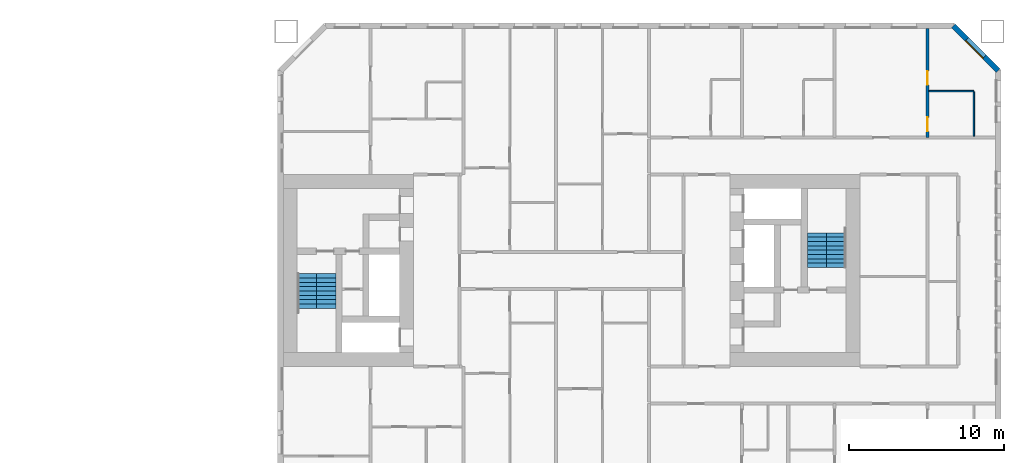
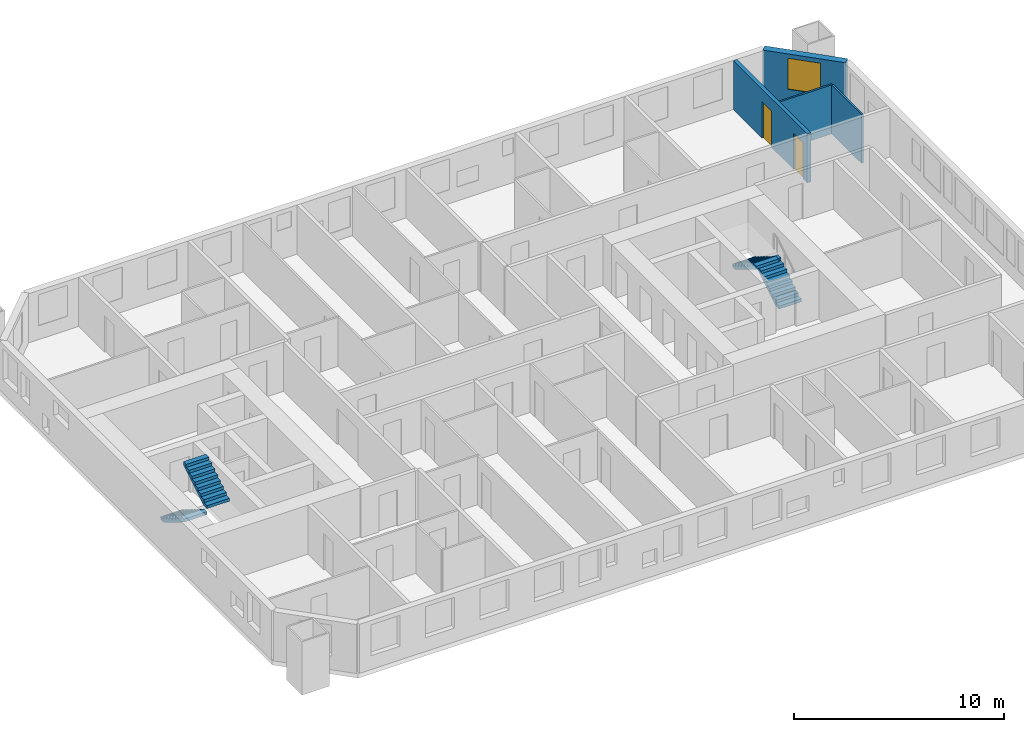
# One storey, part 16 of 18: 4 stair flights, 4 walls, 2 doors, 1 window, 3 openings, 2 elements without a shape of their own.
"""IFC4 building model written with IfcOpenShell, lengths in metres."""

from ifc_helpers import new_model, si_unit, direction, frame, frame_2d, origin, place, context, subcontext, project, spatial, polyline, rectangle, outline, extrude, material, layer, layer_set, type_object, element, fill, aggregate, save


model = new_model("IFC4")

# Units and contexts
model_context = context("Model", 3, precision=1e-05, world=origin(), true_north=direction((0.0, 1.0)))
body_context = subcontext(model_context, "Body", "Model", "MODEL_VIEW")
ifc_project = project(units=[si_unit("LENGTHUNIT", "METRE"), si_unit("AREAUNIT", "SQUARE_METRE"), si_unit("VOLUMEUNIT", "CUBIC_METRE"), si_unit("PLANEANGLEUNIT", "RADIAN"), si_unit("MASSUNIT", "GRAM", prefix="KILO")], contexts=[model_context])

# Site, building, storey
site_placement = place(None, origin())
site = spatial("IfcSite", under=ifc_project, at=site_placement, CompositionType="ELEMENT")
building_placement = place(site_placement, origin())
building = spatial("IfcBuilding", under=site, at=building_placement, Name="Tuart Gate Housing", CompositionType="ELEMENT")
storey_placement = place(building_placement, frame((0.0, 0.0, 31.89990234375)))
storey = spatial("IfcBuildingStorey", under=building, at=storey_placement, Name="L08", CompositionType="ELEMENT", Elevation=31.89990234375)

# Wall, opening, window
ifc_material_1 = material(Name="Brick", Category="masonry")
ifc_layer_1 = layer(ifc_material_1, 0.360107421875)
ifc_layer_set_1 = layer_set([ifc_layer_1], Name="Brick pier and spandrel wall 360")
wall_type_1 = type_object("IfcWallType", Name="Brick pier and spandrel wall 360", PredefinedType="STANDARD", material=ifc_layer_set_1)
wall_1_placement = place(storey_placement, frame((177.570068359375, 82.92529296875, 0.0), z_axis=(0.0, 0.0, 1.0), x_axis=(-0.707106781187, 0.707106781187, 0.0)))
wall_1 = element("IfcWall", 1, at=wall_1_placement, inside=storey, type_object=wall_type_1, Name="External wall B-NE L08", PredefinedType="STANDARD", context=body_context, shape_type="SweptSolid", body=[
    extrude(rectangle(XDim=4.09375, YDim=0.360107421875, at=frame_2d((2.046875, 0.0))), origin(), (0.0, 0.0, 1.0), 2.85009765625),
])
opening_1_placement = place(wall_1_placement, frame((1.2470703125, 0.0, 0.800048828125)))
opening_1 = element("IfcOpeningElement", 2, at=opening_1_placement, cuts=wall_1, Name="Opening W1", PredefinedType="OPENING", context=body_context, shape_type="SweptSolid", body=[
    extrude(rectangle(XDim=1.60009765625, YDim=1.800048828125, at=frame_2d((0.800048828125, 0.89990234375))), frame((0.0, 0.18994140625, 0.0), z_axis=(0.0, -1.0, 0.0), x_axis=(1.0, 0.0, 0.0)), (0.0, 0.0, 1.0), 0.380126953125),
])
ifc_material_2 = material(Name="Aluminium frame with clear glass", Category="aluminium")
window_type = type_object("IfcWindowType", Name="Punched window 1600 x 1800", PartitioningType="SINGLE_PANEL", PredefinedType="WINDOW", material=ifc_material_2)
window_placement = place(opening_1_placement, origin())
window = element("IfcWindow", 3, at=window_placement, inside=storey, type_object=window_type, Name="Window W1", OverallHeight=1.800048828125, OverallWidth=1.60009765625, PartitioningType="SINGLE_PANEL", PredefinedType="WINDOW", context=body_context, shape_type="SweptSolid", body=[
    extrude(rectangle(XDim=1.60009765625, YDim=1.800048828125, at=frame_2d((0.800048828125, 0.89990234375))), frame((0.0, 0.150146484375, 0.0), z_axis=(0.0, -1.0, 0.0), x_axis=(1.0, 0.0, 0.0)), (0.0, 0.0, 1.0), 0.06005859375),
])
fill(opening_1, window)

# Walls
ifc_material_3 = material(Name="Gypsum board on steel studs", Category="steel")
ifc_layer_2 = layer(ifc_material_3, 0.10009765625)
ifc_layer_set_2 = layer_set([ifc_layer_2], Name="Partition 100")
wall_type_2 = type_object("IfcWallType", Name="Partition 100", PredefinedType="PARTITIONING", material=ifc_layer_set_2)
wall_2_placement = place(storey_placement, frame((173.10009765625, 81.60009765625, 0.0), z_axis=(0.0, 0.0, 1.0), x_axis=(1.0, 0.0, 0.0)))
element("IfcWall", 4, at=wall_2_placement, inside=storey, type_object=wall_type_2, Name="Partition 100", PredefinedType="PARTITIONING", context=body_context, shape_type="SweptSolid", body=[
    extrude(rectangle(XDim=2.89990234375, YDim=0.10009765625, at=frame_2d((1.449951171875, 0.0))), origin(), (0.0, 0.0, 1.0), 2.85009765625),
])
wall_3_placement = place(storey_placement, frame((176.0, 78.699951171875, 0.0), z_axis=(0.0, 0.0, 1.0), x_axis=(0.0, 1.0, 0.0)))
element("IfcWall", 5, at=wall_3_placement, inside=storey, type_object=wall_type_2, Name="Partition 100", PredefinedType="PARTITIONING", context=body_context, shape_type="SweptSolid", body=[
    extrude(rectangle(XDim=2.85009765625, YDim=0.10009765625, at=frame_2d((1.425048828125, 0.0))), origin(), (0.0, 0.0, 1.0), 2.85009765625),
])

# Wall, openings, doors
ifc_material_4 = material(Name="Concrete C40", Category="concrete")
ifc_layer_3 = layer(ifc_material_4, 0.199951171875)
ifc_layer_set_3 = layer_set([ifc_layer_3], Name="Party wall concrete C40 200")
wall_type_3 = type_object("IfcWallType", Name="Party wall concrete C40 200", PredefinedType="SOLIDWALL", material=ifc_layer_set_3)
wall_4_placement = place(storey_placement, frame((173.0, 78.60009765625, 0.0), z_axis=(0.0, 0.0, 1.0), x_axis=(0.0, 1.0, 0.0)))
wall_4 = element("IfcWall", 6, at=wall_4_placement, inside=storey, type_object=wall_type_3, Name="Party wall concrete C40 200", PredefinedType="SOLIDWALL", context=body_context, shape_type="SweptSolid", body=[
    extrude(rectangle(XDim=7.039794921875, YDim=0.199951171875, at=frame_2d((3.52001953125, 0.0))), origin(), (0.0, 0.0, 1.0), 2.85009765625),
])
opening_2_placement = place(wall_4_placement, frame((3.39990234375, 0.0, 0.0)))
opening_2 = element("IfcOpeningElement", 7, at=opening_2_placement, cuts=wall_4, Name="Opening D533", PredefinedType="OPENING", context=body_context, shape_type="SweptSolid", body=[
    extrude(rectangle(XDim=0.89990234375, YDim=2.10009765625, at=frame_2d((0.449951171875, 1.050048828125))), frame((0.0, 0.10986328125, 0.0), z_axis=(0.0, -1.0, 0.0), x_axis=(1.0, 0.0, 0.0)), (0.0, 0.0, 1.0), 0.219970703125),
])
opening_3_placement = place(wall_4_placement, frame((0.39990234375, 0.0, 0.0)))
opening_3 = element("IfcOpeningElement", 8, at=opening_3_placement, cuts=wall_4, Name="Opening D532", PredefinedType="OPENING", context=body_context, shape_type="SweptSolid", body=[
    extrude(rectangle(XDim=0.89990234375, YDim=2.10009765625, at=frame_2d((0.449951171875, 1.050048828125))), frame((0.0, 0.10986328125, 0.0), z_axis=(0.0, -1.0, 0.0), x_axis=(1.0, 0.0, 0.0)), (0.0, 0.0, 1.0), 0.219970703125),
])
ifc_material_5 = material(Name="Timber door leaf in steel frame", Category="steel")
door_type_1 = type_object("IfcDoorType", Name="Bathroom door 900 RH", OperationType="SINGLE_SWING_RIGHT", PredefinedType="DOOR", material=ifc_material_5)
door_1_placement = place(opening_3_placement, frame((0.89990234375, 0.0, 0.0), z_axis=(0.0, 0.0, 1.0), x_axis=(-1.0, 0.0, 0.0)))
door_1 = element("IfcDoor", 9, at=door_1_placement, inside=storey, type_object=door_type_1, Name="Bathroom door", OperationType="SINGLE_SWING_RIGHT", OverallHeight=2.10009765625, OverallWidth=0.89990234375, PredefinedType="DOOR", context=body_context, shape_type="SweptSolid", body=[
    extrude(rectangle(XDim=0.89990234375, YDim=2.10009765625, at=frame_2d((0.449951171875, 1.050048828125))), frame((0.0, 0.025146484375, 0.0), z_axis=(0.0, -1.0, 0.0), x_axis=(1.0, 0.0, 0.0)), (0.0, 0.0, 1.0), 0.050048828125),
])
fill(opening_3, door_1)
ifc_material_6 = material(Name="Timber door leaf in steel frame", Category="steel")
door_type_2 = type_object("IfcDoorType", Name="Internal door 900 RH", OperationType="SINGLE_SWING_RIGHT", PredefinedType="DOOR", material=ifc_material_6)
door_2_placement = place(opening_2_placement, frame((0.89990234375, 0.0, 0.0), z_axis=(0.0, 0.0, 1.0), x_axis=(-1.0, 0.0, 0.0)))
door_2 = element("IfcDoor", 10, at=door_2_placement, inside=storey, type_object=door_type_2, Name="Internal door", OperationType="SINGLE_SWING_RIGHT", OverallHeight=2.10009765625, OverallWidth=0.89990234375, PredefinedType="DOOR", context=body_context, shape_type="SweptSolid", body=[
    extrude(rectangle(XDim=0.89990234375, YDim=2.10009765625, at=frame_2d((0.449951171875, 1.050048828125))), frame((0.0, 0.025146484375, 0.0), z_axis=(0.0, -1.0, 0.0), x_axis=(1.0, 0.0, 0.0)), (0.0, 0.0, 1.0), 0.050048828125),
])
fill(opening_2, door_2)

# Stair, stair flights
ifc_material_7 = material(Name="Concrete C40", Category="concrete")
stair_type = type_object("IfcStairType", Name="Core stair 1250", PredefinedType="HALF_TURN_STAIR", material=ifc_material_7)
stair_1_placement = place(storey_placement, origin())
stair_1 = element("IfcStair", 11, at=stair_1_placement, inside=storey, type_object=stair_type, Name="Stair SB1", PredefinedType="HALF_TURN_STAIR")
ifc_material_8 = material(Name="Concrete C40", Category="concrete")
stair_flight_type = type_object("IfcStairFlightType", Name="Stair flight 1250, 9 risers 172 x 280", PredefinedType="STRAIGHT", material=ifc_material_8)
stair_flight_1_placement = place(storey_placement, frame((132.885009765625, 69.800048828125, 0.0), z_axis=(0.0, 0.0, 1.0), x_axis=(0.0, -1.0, 0.0)))
stair_flight_1 = element("IfcStairFlight", 12, at=stair_flight_1_placement, type_object=stair_flight_type, Name="SB1 flight 1", NumberOfRisers=9, NumberOfTreads=8, PredefinedType="STRAIGHT", RiserHeight=0.172222222, TreadLength=0.28, context=body_context, shape_type="SweptSolid", body=[
    extrude(outline(polyline([(0.0, 0.0), (0.0, 0.172119140625), (0.280029296875, 0.172119140625), (0.280029296875, 0.344482421875), (0.56005859375, 0.344482421875), (0.56005859375, 0.5166015625), (0.840087890625, 0.5166015625), (0.840087890625, 0.68896484375), (1.1201171875, 0.68896484375), (1.1201171875, 0.861083984375), (1.39990234375, 0.861083984375), (1.39990234375, 1.033447265625), (1.679931640625, 1.033447265625), (1.679931640625, 1.20556640625), (1.9599609375, 1.20556640625), (1.9599609375, 1.377685546875), (2.239990234375, 1.377685546875), (2.239990234375, 1.550048828125), (2.239990234375, 1.201904296875), (0.2861328125, 0.0), (0.0, 0.0)])), frame((0.0, 0.625, 0.0), z_axis=(0.0, -1.0, 0.0), x_axis=(1.0, 0.0, 0.0)), (0.0, 0.0, 1.0), 1.25),
])
stair_flight_2_placement = place(storey_placement, frame((134.135009765625, 67.56005859375, 1.550048828125), z_axis=(0.0, 0.0, 1.0), x_axis=(0.0, 1.0, 0.0)))
stair_flight_2 = element("IfcStairFlight", 13, at=stair_flight_2_placement, type_object=stair_flight_type, Name="SB1 flight 2", NumberOfRisers=9, NumberOfTreads=8, PredefinedType="STRAIGHT", RiserHeight=0.172222222, TreadLength=0.28, context=body_context, shape_type="SweptSolid", body=[
    extrude(outline(polyline([(0.0, 0.0), (0.0, 0.172119140625), (0.280029296875, 0.172119140625), (0.280029296875, 0.344482421875), (0.56005859375, 0.344482421875), (0.56005859375, 0.5166015625), (0.840087890625, 0.5166015625), (0.840087890625, 0.68896484375), (1.1201171875, 0.68896484375), (1.1201171875, 0.861083984375), (1.39990234375, 0.861083984375), (1.39990234375, 1.033447265625), (1.679931640625, 1.033447265625), (1.679931640625, 1.20556640625), (1.9599609375, 1.20556640625), (1.9599609375, 1.377685546875), (2.239990234375, 1.377685546875), (2.239990234375, 1.550048828125), (2.239990234375, 1.201904296875), (0.2861328125, 0.0), (0.0, 0.0)])), frame((0.0, 0.625, 0.0), z_axis=(0.0, -1.0, 0.0), x_axis=(1.0, 0.0, 0.0)), (0.0, 0.0, 1.0), 1.25),
])
aggregate(stair_1, [stair_flight_1, stair_flight_2])

stair_2_placement = place(storey_placement, origin())
stair_2 = element("IfcStair", 14, at=stair_2_placement, inside=storey, type_object=stair_type, Name="Stair SB2", PredefinedType="HALF_TURN_STAIR")
stair_flight_3_placement = place(storey_placement, frame((167.114990234375, 70.199951171875, 0.0), z_axis=(0.0, 0.0, 1.0), x_axis=(0.0, 1.0, 0.0)))
stair_flight_3 = element("IfcStairFlight", 15, at=stair_flight_3_placement, type_object=stair_flight_type, Name="SB2 flight 1", NumberOfRisers=9, NumberOfTreads=8, PredefinedType="STRAIGHT", RiserHeight=0.172222222, TreadLength=0.28, context=body_context, shape_type="SweptSolid", body=[
    extrude(outline(polyline([(0.0, 0.0), (0.0, 0.172119140625), (0.280029296875, 0.172119140625), (0.280029296875, 0.344482421875), (0.56005859375, 0.344482421875), (0.56005859375, 0.5166015625), (0.840087890625, 0.5166015625), (0.840087890625, 0.68896484375), (1.1201171875, 0.68896484375), (1.1201171875, 0.861083984375), (1.39990234375, 0.861083984375), (1.39990234375, 1.033447265625), (1.679931640625, 1.033447265625), (1.679931640625, 1.20556640625), (1.9599609375, 1.20556640625), (1.9599609375, 1.377685546875), (2.239990234375, 1.377685546875), (2.239990234375, 1.550048828125), (2.239990234375, 1.201904296875), (0.2861328125, 0.0), (0.0, 0.0)])), frame((0.0, 0.625, 0.0), z_axis=(0.0, -1.0, 0.0), x_axis=(1.0, 0.0, 0.0)), (0.0, 0.0, 1.0), 1.25),
])
stair_flight_4_placement = place(storey_placement, frame((165.864990234375, 72.43994140625, 1.550048828125), z_axis=(0.0, 0.0, 1.0), x_axis=(0.0, -1.0, 0.0)))
stair_flight_4 = element("IfcStairFlight", 16, at=stair_flight_4_placement, type_object=stair_flight_type, Name="SB2 flight 2", NumberOfRisers=9, NumberOfTreads=8, PredefinedType="STRAIGHT", RiserHeight=0.172222222, TreadLength=0.28, context=body_context, shape_type="SweptSolid", body=[
    extrude(outline(polyline([(0.0, 0.0), (0.0, 0.172119140625), (0.280029296875, 0.172119140625), (0.280029296875, 0.344482421875), (0.56005859375, 0.344482421875), (0.56005859375, 0.5166015625), (0.840087890625, 0.5166015625), (0.840087890625, 0.68896484375), (1.1201171875, 0.68896484375), (1.1201171875, 0.861083984375), (1.39990234375, 0.861083984375), (1.39990234375, 1.033447265625), (1.679931640625, 1.033447265625), (1.679931640625, 1.20556640625), (1.9599609375, 1.20556640625), (1.9599609375, 1.377685546875), (2.239990234375, 1.377685546875), (2.239990234375, 1.550048828125), (2.239990234375, 1.201904296875), (0.2861328125, 0.0), (0.0, 0.0)])), frame((0.0, 0.625, 0.0), z_axis=(0.0, -1.0, 0.0), x_axis=(1.0, 0.0, 0.0)), (0.0, 0.0, 1.0), 1.25),
])
aggregate(stair_2, [stair_flight_3, stair_flight_4])

save(model, "model.ifc")
